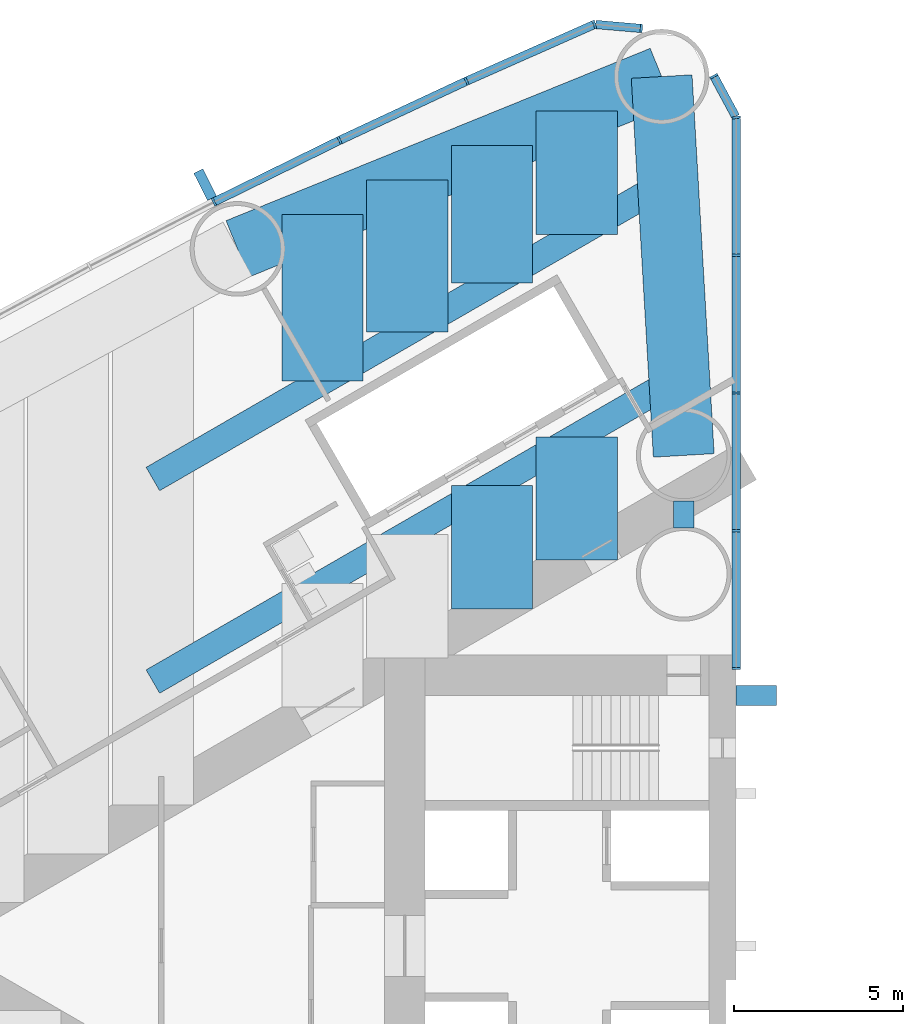
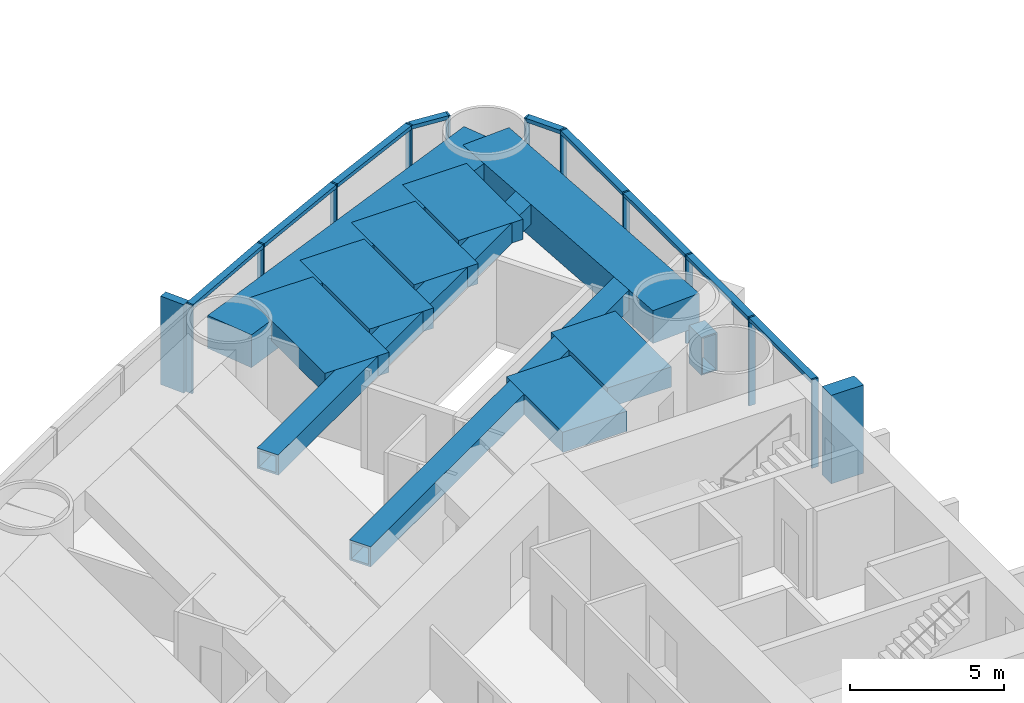
# One storey, part 5 of 18: 22 members, 11 beams, 2 elements without a shape of their own.
"""IFC4 building model written with IfcOpenShell, lengths in metres."""

from ifc_helpers import new_model, si_unit, direction, frame, origin, origin_2d, place, context, subcontext, project, spatial, rectangle, hollow_rectangle, extrude, material, material_profile, profile_set, type_object, element, aggregate, save


model = new_model("IFC4")

# Units and contexts
model_context = context("Model", 3, precision=1e-05, world=origin(), true_north=direction((0.0, 1.0)))
body_context = subcontext(model_context, "Body", "Model", "MODEL_VIEW")
ifc_project = project(units=[si_unit("LENGTHUNIT", "METRE"), si_unit("AREAUNIT", "SQUARE_METRE"), si_unit("VOLUMEUNIT", "CUBIC_METRE"), si_unit("PLANEANGLEUNIT", "RADIAN"), si_unit("MASSUNIT", "GRAM", prefix="KILO")], contexts=[model_context])

# Site, building, storey
site_placement = place(None, origin())
site = spatial("IfcSite", under=ifc_project, at=site_placement, CompositionType="ELEMENT")
building_placement = place(site_placement, origin())
building = spatial("IfcBuilding", under=site, at=building_placement, Name="Lancet Gate Hotel", CompositionType="ELEMENT")
storey_placement = place(building_placement, frame((0.0, 0.0, 42.5)))
storey = spatial("IfcBuildingStorey", under=building, at=storey_placement, Name="L10", CompositionType="ELEMENT", Elevation=42.5)

# Curtain wall, members
ifc_material_1 = material(Name="Aluminium curtain wall", Category="aluminium")
curtain_wall_type = type_object("IfcCurtainWallType", Name="Tower unitised curtain wall", PredefinedType="USERDEFINED", material=ifc_material_1)
curtain_wall_1_placement = place(storey_placement, origin())
curtain_wall_1 = element("IfcCurtainWall", 1, at=curtain_wall_1_placement, inside=storey, type_object=curtain_wall_type, Name="T1 L10 curtain wall 1", ObjectType="UNITISED CURTAIN WALL", PredefinedType="USERDEFINED")
ifc_material_2 = material(Name="Aluminium mullion", Category="aluminium")
ifc_material_profile_1 = material_profile(ifc_material_2, rectangle(XDim=0.06494140625, YDim=0.25, at=origin_2d()), Name="MULLION 65x250")
ifc_profile_set_1 = profile_set([ifc_material_profile_1], Name="Aluminium mullion")
member_type_1 = type_object("IfcMemberType", Name="Aluminium mullion 65x250", PredefinedType="MULLION", material=ifc_profile_set_1)
member_1_placement = place(storey_placement, frame((-27.5, 8.199951171875, 0.0), z_axis=(0.0, 0.0, 1.0), x_axis=(0.0, 1.0, 0.0)))
member_1 = element("IfcMember", 2, at=member_1_placement, type_object=member_type_1, Name="T1 L10 curtain wall 1 mullion 1", PredefinedType="MULLION", context=body_context, shape_type="SweptSolid", body=[
    extrude(rectangle(XDim=0.06494140625, YDim=0.25, at=origin_2d()), origin(), (0.0, 0.0, 1.0), 3.5),
])
member_2_placement = place(storey_placement, frame((-27.5, 12.272705078125, 0.0), z_axis=(0.0, 0.0, 1.0), x_axis=(0.0, 1.0, 0.0)))
member_2 = element("IfcMember", 3, at=member_2_placement, type_object=member_type_1, Name="T1 L10 curtain wall 1 mullion 2", PredefinedType="MULLION", context=body_context, shape_type="SweptSolid", body=[
    extrude(rectangle(XDim=0.06494140625, YDim=0.25, at=origin_2d()), origin(), (0.0, 0.0, 1.0), 3.5),
])
member_3_placement = place(storey_placement, frame((-27.5, 16.345703125, 0.0), z_axis=(0.0, 0.0, 1.0), x_axis=(0.0, 1.0, 0.0)))
member_3 = element("IfcMember", 4, at=member_3_placement, type_object=member_type_1, Name="T1 L10 curtain wall 1 mullion 3", PredefinedType="MULLION", context=body_context, shape_type="SweptSolid", body=[
    extrude(rectangle(XDim=0.06494140625, YDim=0.25, at=origin_2d()), origin(), (0.0, 0.0, 1.0), 3.5),
])
member_4_placement = place(storey_placement, frame((-27.5, 20.41845703125, 0.0), z_axis=(0.0, 0.0, 1.0), x_axis=(0.0, 1.0, 0.0)))
member_4 = element("IfcMember", 5, at=member_4_placement, type_object=member_type_1, Name="T1 L10 curtain wall 1 mullion 4", PredefinedType="MULLION", context=body_context, shape_type="SweptSolid", body=[
    extrude(rectangle(XDim=0.06494140625, YDim=0.25, at=origin_2d()), origin(), (0.0, 0.0, 1.0), 3.5),
])
member_5_placement = place(storey_placement, frame((-27.5, 24.4912109375, 0.0), z_axis=(0.0, 0.0, 1.0), x_axis=(-0.123482502544, 0.992346749662, 0.0)))
member_5 = element("IfcMember", 6, at=member_5_placement, type_object=member_type_1, Name="T1 L10 curtain wall 1 mullion 5", PredefinedType="MULLION", context=body_context, shape_type="SweptSolid", body=[
    extrude(rectangle(XDim=0.06494140625, YDim=0.25, at=origin_2d()), origin(), (0.0, 0.0, 1.0), 3.5),
])
member_6_placement = place(storey_placement, frame((-28.158935546875, 25.712890625, 0.0), z_axis=(0.0, 0.0, 1.0), x_axis=(-0.474631040972, 0.880184852714, 0.0)))
member_6 = element("IfcMember", 7, at=member_6_placement, type_object=member_type_1, Name="T1 L10 curtain wall 1 mullion 6", PredefinedType="MULLION", context=body_context, shape_type="SweptSolid", body=[
    extrude(rectangle(XDim=0.06494140625, YDim=0.25, at=origin_2d()), origin(), (0.0, 0.0, 1.0), 3.5),
])

curtain_wall_2_placement = place(storey_placement, origin())
curtain_wall_2 = element("IfcCurtainWall", 8, at=curtain_wall_2_placement, inside=storey, type_object=curtain_wall_type, Name="T1 L10 curtain wall 2", ObjectType="UNITISED CURTAIN WALL", PredefinedType="USERDEFINED")
member_7_placement = place(storey_placement, frame((-30.3046875, 27.124755859375, 0.0), z_axis=(0.0, 0.0, 1.0), x_axis=(-0.99620380374, 0.087051602022, 0.0)))
member_7 = element("IfcMember", 9, at=member_7_placement, type_object=member_type_1, Name="T1 L10 curtain wall 2 mullion 1", PredefinedType="MULLION", context=body_context, shape_type="SweptSolid", body=[
    extrude(rectangle(XDim=0.06494140625, YDim=0.25, at=origin_2d()), origin(), (0.0, 0.0, 1.0), 3.5),
])
member_8_placement = place(storey_placement, frame((-31.688720703125, 27.24560546875, 0.0), z_axis=(0.0, 0.0, 1.0), x_axis=(-0.957524354695, -0.288352406209, 0.0)))
member_8 = element("IfcMember", 10, at=member_8_placement, type_object=member_type_1, Name="T1 L10 curtain wall 2 mullion 2", PredefinedType="MULLION", context=body_context, shape_type="SweptSolid", body=[
    extrude(rectangle(XDim=0.06494140625, YDim=0.25, at=origin_2d()), origin(), (0.0, 0.0, 1.0), 3.5),
])
member_9_placement = place(storey_placement, frame((-35.473876953125, 25.568115234375, 0.0), z_axis=(0.0, 0.0, 1.0), x_axis=(-0.910219680212, -0.414125746308, 0.0)))
member_9 = element("IfcMember", 11, at=member_9_placement, type_object=member_type_1, Name="T1 L10 curtain wall 2 mullion 3", PredefinedType="MULLION", context=body_context, shape_type="SweptSolid", body=[
    extrude(rectangle(XDim=0.06494140625, YDim=0.25, at=origin_2d()), origin(), (0.0, 0.0, 1.0), 3.5),
])
member_10_placement = place(storey_placement, frame((-39.225341796875, 23.816650390625, 0.0), z_axis=(0.0, 0.0, 1.0), x_axis=(-0.901928838337, -0.431884672772, 0.0)))
member_10 = element("IfcMember", 12, at=member_10_placement, type_object=member_type_1, Name="T1 L10 curtain wall 2 mullion 4", PredefinedType="MULLION", context=body_context, shape_type="SweptSolid", body=[
    extrude(rectangle(XDim=0.06494140625, YDim=0.25, at=origin_2d()), origin(), (0.0, 0.0, 1.0), 3.5),
])
member_11_placement = place(storey_placement, frame((-42.94189453125, 21.991943359375, 0.0), z_axis=(0.0, 0.0, 1.0), x_axis=(-0.893291549794, -0.449477704748, 0.0)))
member_11 = element("IfcMember", 13, at=member_11_placement, type_object=member_type_1, Name="T1 L10 curtain wall 2 mullion 5", PredefinedType="MULLION", context=body_context, shape_type="SweptSolid", body=[
    extrude(rectangle(XDim=0.06494140625, YDim=0.25, at=origin_2d()), origin(), (0.0, 0.0, 1.0), 3.5),
])

# Member
ifc_material_3 = material(Name="Aluminium transom", Category="aluminium")
ifc_material_profile_2 = material_profile(ifc_material_3, rectangle(XDim=0.25, YDim=0.14990234375, at=origin_2d()), Name="TRANSOM 250x150")
ifc_profile_set_2 = profile_set([ifc_material_profile_2], Name="Aluminium transom")
member_type_2 = type_object("IfcMemberType", Name="Aluminium transom 250x150", PredefinedType="USERDEFINED", material=ifc_profile_set_2)
member_12_placement = place(storey_placement, frame((-27.5, 8.232421875, 3.425048828125), z_axis=(0.0, 1.0, 0.0), x_axis=(-1.0, 0.0, 0.0)))
member_12 = element("IfcMember", 14, at=member_12_placement, type_object=member_type_2, Name="T1 L10 curtain wall 1 transom 1", ObjectType="TRANSOM", PredefinedType="USERDEFINED", context=body_context, shape_type="SweptSolid", body=[
    extrude(rectangle(XDim=0.25, YDim=0.14990234375, at=origin_2d()), origin(), (0.0, 0.0, 1.0), 4.0078125),
])

member_13_placement = place(storey_placement, frame((-27.5, 12.30517578125, 3.425048828125), z_axis=(0.0, 1.0, 0.0), x_axis=(-1.0, 0.0, 0.0)))
member_13 = element("IfcMember", 15, at=member_13_placement, type_object=member_type_2, Name="T1 L10 curtain wall 1 transom 2", ObjectType="TRANSOM", PredefinedType="USERDEFINED", context=body_context, shape_type="SweptSolid", body=[
    extrude(rectangle(XDim=0.25, YDim=0.14990234375, at=origin_2d()), origin(), (0.0, 0.0, 1.0), 4.0078125),
])

member_14_placement = place(storey_placement, frame((-27.5, 16.378173828125, 3.425048828125), z_axis=(0.0, 1.0, 0.0), x_axis=(-1.0, 0.0, 0.0)))
member_14 = element("IfcMember", 16, at=member_14_placement, type_object=member_type_2, Name="T1 L10 curtain wall 1 transom 3", ObjectType="TRANSOM", PredefinedType="USERDEFINED", context=body_context, shape_type="SweptSolid", body=[
    extrude(rectangle(XDim=0.25, YDim=0.14990234375, at=origin_2d()), origin(), (0.0, 0.0, 1.0), 4.0078125),
])

member_15_placement = place(storey_placement, frame((-27.5, 20.450927734375, 3.425048828125), z_axis=(0.0, 1.0, 0.0), x_axis=(-1.0, 0.0, 0.0)))
member_15 = element("IfcMember", 17, at=member_15_placement, type_object=member_type_2, Name="T1 L10 curtain wall 1 transom 4", ObjectType="TRANSOM", PredefinedType="USERDEFINED", context=body_context, shape_type="SweptSolid", body=[
    extrude(rectangle(XDim=0.25, YDim=0.14990234375, at=origin_2d()), origin(), (0.0, 0.0, 1.0), 4.0078125),
])

member_16_placement = place(storey_placement, frame((-27.515380859375, 24.519775390625, 3.425048828125), z_axis=(-0.474605926905, 0.880198394765, 0.0), x_axis=(-0.880198394765, -0.474605926905, 0.0)))
member_16 = element("IfcMember", 18, at=member_16_placement, type_object=member_type_2, Name="T1 L10 curtain wall 1 transom 5", ObjectType="TRANSOM", PredefinedType="USERDEFINED", context=body_context, shape_type="SweptSolid", body=[
    extrude(rectangle(XDim=0.25, YDim=0.14990234375, at=origin_2d()), origin(), (0.0, 0.0, 1.0), 1.322998046875),
])

aggregate(curtain_wall_1, [member_1, member_2, member_3, member_4, member_5, member_6, member_12, member_13, member_14, member_15, member_16])

member_17_placement = place(storey_placement, frame((-30.337158203125, 27.127685546875, 3.425048828125), z_axis=(-0.99620591587, 0.087027427779, 0.0), x_axis=(-0.087027427779, -0.99620591587, 0.0)))
member_17 = element("IfcMember", 19, at=member_17_placement, type_object=member_type_2, Name="T1 L10 curtain wall 2 transom 1", ObjectType="TRANSOM", PredefinedType="USERDEFINED", context=body_context, shape_type="SweptSolid", body=[
    extrude(rectangle(XDim=0.25, YDim=0.14990234375, at=origin_2d()), origin(), (0.0, 0.0, 1.0), 1.32421875),
])

member_18_placement = place(storey_placement, frame((-31.71826171875, 27.232421875, 3.425048828125), z_axis=(-0.914248281954, -0.405154389022, 0.0), x_axis=(0.405154389022, -0.914248281954, 0.0)))
member_18 = element("IfcMember", 20, at=member_18_placement, type_object=member_type_2, Name="T1 L10 curtain wall 2 transom 2", ObjectType="TRANSOM", PredefinedType="USERDEFINED", context=body_context, shape_type="SweptSolid", body=[
    extrude(rectangle(XDim=0.25, YDim=0.14990234375, at=origin_2d()), origin(), (0.0, 0.0, 1.0), 4.0751953125),
])

member_19_placement = place(storey_placement, frame((-35.503173828125, 25.554443359375, 3.425048828125), z_axis=(-0.906109667261, -0.423042871228, 0.0), x_axis=(0.423042871228, -0.906109667261, 0.0)))
member_19 = element("IfcMember", 21, at=member_19_placement, type_object=member_type_2, Name="T1 L10 curtain wall 2 transom 3", ObjectType="TRANSOM", PredefinedType="USERDEFINED", context=body_context, shape_type="SweptSolid", body=[
    extrude(rectangle(XDim=0.25, YDim=0.14990234375, at=origin_2d()), origin(), (0.0, 0.0, 1.0), 4.075439453125),
])

member_20_placement = place(storey_placement, frame((-39.254638671875, 23.80224609375, 3.425048828125), z_axis=(-0.897662439958, -0.440683723194, 0.0), x_axis=(0.440683723194, -0.897662439958, 0.0)))
member_20 = element("IfcMember", 22, at=member_20_placement, type_object=member_type_2, Name="T1 L10 curtain wall 2 transom 4", ObjectType="TRANSOM", PredefinedType="USERDEFINED", context=body_context, shape_type="SweptSolid", body=[
    extrude(rectangle(XDim=0.25, YDim=0.14990234375, at=origin_2d()), origin(), (0.0, 0.0, 1.0), 4.0751953125),
])

# Beams
ifc_material_4 = material(Name="Concrete C50/60", Category="concrete")
ifc_material_profile_3 = material_profile(ifc_material_4, rectangle(XDim=1.800048828125, YDim=1.300048828125, at=origin_2d()), Name="RC 1800x1300")
ifc_profile_set_3 = profile_set([ifc_material_profile_3], Name="Concrete C50/60")
beam_type_1 = type_object("IfcBeamType", Name="Edge beam RC 1800x1300", PredefinedType="SPANDREL", material=ifc_profile_set_3)
beam_1_placement = place(storey_placement, frame((-29.703369140625, 25.70263671875, 2.60009765625), z_axis=(-0.926463236197, -0.376385270667, 0.0), x_axis=(0.376385270667, -0.926463236197, 0.0)))
element("IfcBeam", 23, at=beam_1_placement, inside=storey, type_object=beam_type_1, Name="T1 edge beam EB1 L10", PredefinedType="SPANDREL", context=body_context, shape_type="SweptSolid", body=[
    extrude(rectangle(XDim=1.800048828125, YDim=1.300048828125, at=origin_2d()), origin(), (0.0, 0.0, 1.0), 13.537353515625),
])
beam_2_placement = place(storey_placement, frame((-29.703369140625, 25.70263671875, 2.60009765625), z_axis=(0.058219521912, -0.998303805096, 0.0), x_axis=(0.998303805096, 0.058219521912, 0.0)))
element("IfcBeam", 24, at=beam_2_placement, inside=storey, type_object=beam_type_1, Name="T1 edge beam EB1 L10", PredefinedType="SPANDREL", context=body_context, shape_type="SweptSolid", body=[
    extrude(rectangle(XDim=1.800048828125, YDim=1.300048828125, at=origin_2d()), origin(), (0.0, 0.0, 1.0), 11.2216796875),
])

# Member
ifc_material_5 = material(Name="Concrete C60/75", Category="concrete")
ifc_material_profile_4 = material_profile(ifc_material_5, rectangle(XDim=0.60009765625, YDim=1.199951171875, at=origin_2d()), Name="FIN 600x1200")
ifc_profile_set_4 = profile_set([ifc_material_profile_4], Name="Concrete C60/75")
member_type_3 = type_object("IfcMemberType", Name="Exposed concrete buttress pilaster 600x1200", PredefinedType="USERDEFINED", material=ifc_profile_set_4)
member_21_placement = place(storey_placement, frame((-26.909912109375, 7.39990234375, 0.0), z_axis=(0.0, 0.0, 1.0), x_axis=(0.0, 1.0, 0.0)))
element("IfcMember", 25, at=member_21_placement, inside=storey, type_object=member_type_3, Name="T1 buttress pilaster S L10", ObjectType="FIN", PredefinedType="USERDEFINED", context=body_context, shape_type="SweptSolid", body=[
    extrude(rectangle(XDim=0.60009765625, YDim=1.199951171875, at=origin_2d()), origin(), (0.0, 0.0, 1.0), 3.5),
])

ifc_material_6 = material(Name="Precast concrete C50/60", Category="concrete")
ifc_material_profile_5 = material_profile(ifc_material_6, rectangle(XDim=0.300048828125, YDim=0.89990234375, at=origin_2d()), Name="FIN 300x900")
ifc_profile_set_5 = profile_set([ifc_material_profile_5], Name="Precast concrete C50/60")
member_type_4 = type_object("IfcMemberType", Name="Exposed concrete fin 300x900", PredefinedType="USERDEFINED", material=ifc_profile_set_5)
member_22_placement = place(storey_placement, frame((-43.200439453125, 22.505615234375, 0.0), z_axis=(0.0, 0.0, 1.0), x_axis=(-0.893291549794, -0.449477704748, 0.0)))
member_22 = element("IfcMember", 26, at=member_22_placement, type_object=member_type_4, Name="T1 L10 curtain wall 2 fin 5", ObjectType="FIN", PredefinedType="USERDEFINED", context=body_context, shape_type="SweptSolid", body=[
    extrude(rectangle(XDim=0.300048828125, YDim=0.89990234375, at=origin_2d()), origin(), (0.0, 0.0, 1.0), 3.5),
])

aggregate(curtain_wall_2, [member_7, member_8, member_9, member_10, member_11, member_22, member_17, member_18, member_19, member_20])

# Beams
ifc_material_7 = material(Name="Concrete C50/60", Category="concrete")
ifc_material_profile_6 = material_profile(ifc_material_7, rectangle(XDim=2.39990234375, YDim=0.800048828125, at=origin_2d()), Name="RC 2400x800")
ifc_profile_set_6 = profile_set([ifc_material_profile_6], Name="Concrete C50/60")
beam_type_2 = type_object("IfcBeamType", Name="Floor beam RC 2400x800", PredefinedType="BEAM", material=ifc_profile_set_6)
beam_3_placement = place(storey_placement, frame((-32.213623046875, 24.682861328125, 2.85009765625), z_axis=(0.0, -1.0, 0.0), x_axis=(1.0, 0.0, 0.0)))
element("IfcBeam", 27, at=beam_3_placement, inside=storey, type_object=beam_type_2, Name="T1 floor beam F02SA L10", PredefinedType="BEAM", context=body_context, shape_type="SweptSolid", body=[
    extrude(rectangle(XDim=2.39990234375, YDim=0.800048828125, at=origin_2d()), origin(), (0.0, 0.0, 1.0), 3.643798828125),
])
beam_4_placement = place(storey_placement, frame((-32.213623046875, 15.051025390625, 2.85009765625), z_axis=(0.0, -1.0, 0.0), x_axis=(1.0, 0.0, 0.0)))
element("IfcBeam", 28, at=beam_4_placement, inside=storey, type_object=beam_type_2, Name="T1 floor beam F02SB L10", PredefinedType="BEAM", context=body_context, shape_type="SweptSolid", body=[
    extrude(rectangle(XDim=2.39990234375, YDim=0.800048828125, at=origin_2d()), origin(), (0.0, 0.0, 1.0), 3.645751953125),
])
beam_5_placement = place(storey_placement, frame((-34.720458984375, 23.664306640625, 2.85009765625), z_axis=(0.0, -1.0, 0.0), x_axis=(1.0, 0.0, 0.0)))
element("IfcBeam", 29, at=beam_5_placement, inside=storey, type_object=beam_type_2, Name="T1 floor beam F04SA L10", PredefinedType="BEAM", context=body_context, shape_type="SweptSolid", body=[
    extrude(rectangle(XDim=2.39990234375, YDim=0.800048828125, at=origin_2d()), origin(), (0.0, 0.0, 1.0), 4.07275390625),
])
beam_6_placement = place(storey_placement, frame((-34.720458984375, 13.603759765625, 2.85009765625), z_axis=(0.0, -1.0, 0.0), x_axis=(1.0, 0.0, 0.0)))
element("IfcBeam", 30, at=beam_6_placement, inside=storey, type_object=beam_type_2, Name="T1 floor beam F04SB L10", PredefinedType="BEAM", context=body_context, shape_type="SweptSolid", body=[
    extrude(rectangle(XDim=2.39990234375, YDim=0.800048828125, at=origin_2d()), origin(), (0.0, 0.0, 1.0), 3.645751953125),
])
beam_7_placement = place(storey_placement, frame((-37.227294921875, 22.64599609375, 2.85009765625), z_axis=(0.0, -1.0, 0.0), x_axis=(1.0, 0.0, 0.0)))
element("IfcBeam", 31, at=beam_7_placement, inside=storey, type_object=beam_type_2, Name="T1 floor beam F05SA L10", PredefinedType="BEAM", context=body_context, shape_type="SweptSolid", body=[
    extrude(rectangle(XDim=2.39990234375, YDim=0.800048828125, at=origin_2d()), origin(), (0.0, 0.0, 1.0), 4.501953125),
])
beam_8_placement = place(storey_placement, frame((-39.734130859375, 21.627685546875, 2.85009765625), z_axis=(0.0, -1.0, 0.0), x_axis=(1.0, 0.0, 0.0)))
element("IfcBeam", 32, at=beam_8_placement, inside=storey, type_object=beam_type_2, Name="T1 floor beam F07SA L10", PredefinedType="BEAM", context=body_context, shape_type="SweptSolid", body=[
    extrude(rectangle(XDim=2.39990234375, YDim=0.800048828125, at=origin_2d()), origin(), (0.0, 0.0, 1.0), 4.93115234375),
])
ifc_material_8 = material(Name="Steel S460QL", Category="steel")
ifc_material_profile_7 = material_profile(ifc_material_8, hollow_rectangle(XDim=0.60009765625, YDim=1.5, WallThickness=0.050048828125, at=origin_2d()), Name="BOX 1500x600x50")
ifc_profile_set_7 = profile_set([ifc_material_profile_7], Name="Steel S460QL")
beam_type_3 = type_object("IfcBeamType", Name="Inner-face link beam BOX 1500x600x50", PredefinedType="BEAM", material=ifc_profile_set_7)
beam_9_placement = place(storey_placement, frame((-29.050048828125, 13.14990234375, 2.5), z_axis=(0.0, -1.0, 0.0), x_axis=(1.0, 0.0, 0.0)))
element("IfcBeam", 33, at=beam_9_placement, inside=storey, type_object=beam_type_3, Name="T1 inner-face link beam LK1 L10", PredefinedType="BEAM", context=body_context, shape_type="SweptSolid", body=[
    extrude(hollow_rectangle(XDim=0.60009765625, YDim=1.5, WallThickness=0.050048828125, at=origin_2d()), origin(), (0.0, 0.0, 1.0), 0.7998046875),
])
ifc_material_9 = material(Name="Steel S460QL", Category="steel")
ifc_material_profile_8 = material_profile(ifc_material_9, hollow_rectangle(XDim=0.800048828125, YDim=0.800048828125, WallThickness=0.080078125, at=origin_2d()), Name="BOX 800x800x80")
ifc_profile_set_8 = profile_set([ifc_material_profile_8], Name="Steel S460QL")
beam_type_4 = type_object("IfcBeamType", Name="Trimmer beam BOX 800x800x80", PredefinedType="BEAM", material=ifc_profile_set_8)
beam_10_placement = place(storey_placement, frame((-29.18408203125, 16.800537109375, 2.85009765625), z_axis=(-0.865998945969, -0.500045823481, 0.0), x_axis=(0.500045823481, -0.865998945969, 0.0)))
element("IfcBeam", 34, at=beam_10_placement, inside=storey, type_object=beam_type_4, Name="T1 trimmer beam TR01S L10", PredefinedType="BEAM", context=body_context, shape_type="SweptSolid", body=[
    extrude(hollow_rectangle(XDim=0.800048828125, YDim=0.800048828125, WallThickness=0.080078125, at=origin_2d()), origin(), (0.0, 0.0, 1.0), 17.971923828125),
])
beam_11_placement = place(storey_placement, frame((-29.52197265625, 22.59326171875, 2.85009765625), z_axis=(-0.866004054636, -0.500036975987, 0.0), x_axis=(0.500036975987, -0.866004054636, 0.0)))
element("IfcBeam", 35, at=beam_11_placement, inside=storey, type_object=beam_type_4, Name="T1 trimmer beam TR02S L10", PredefinedType="BEAM", context=body_context, shape_type="SweptSolid", body=[
    extrude(hollow_rectangle(XDim=0.800048828125, YDim=0.800048828125, WallThickness=0.080078125, at=origin_2d()), origin(), (0.0, 0.0, 1.0), 17.581787109375),
])

save(model, "model.ifc")
